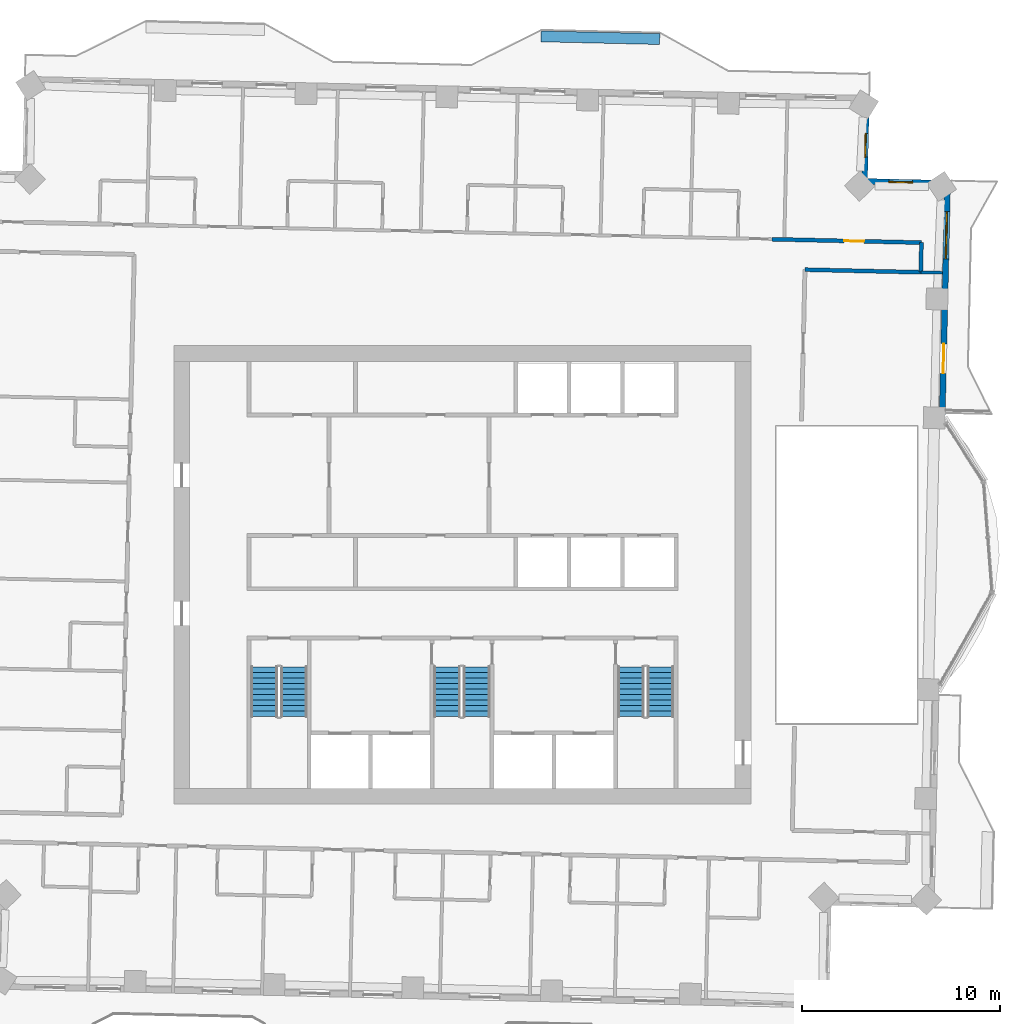
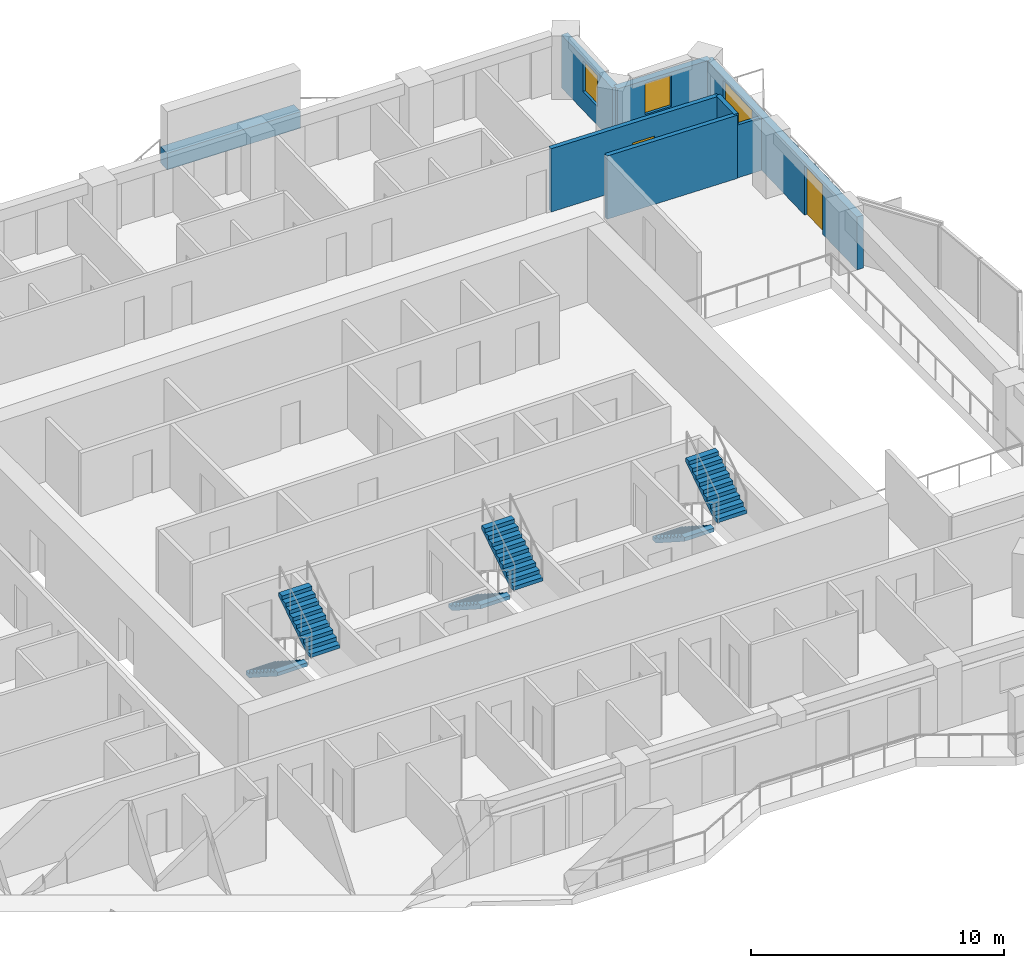
# One storey, part 12 of 16: 8 walls, 6 stair flights, 3 windows, 2 doors, 5 openings, 3 elements without a shape of their own.
"""IFC4 building model written with IfcOpenShell, lengths in metres."""

from ifc_helpers import new_model, si_unit, direction, frame, frame_2d, origin, place, context, subcontext, project, spatial, polyline, rectangle, outline, extrude, material, layer, layer_set, type_object, element, fill, aggregate, save


model = new_model("IFC4")

# Units and contexts
model_context = context("Model", 3, precision=1e-05, world=origin(), true_north=direction((0.0, 1.0)))
body_context = subcontext(model_context, "Body", "Model", "MODEL_VIEW")
ifc_project = project(units=[si_unit("LENGTHUNIT", "METRE"), si_unit("AREAUNIT", "SQUARE_METRE"), si_unit("VOLUMEUNIT", "CUBIC_METRE"), si_unit("PLANEANGLEUNIT", "RADIAN"), si_unit("MASSUNIT", "GRAM", prefix="KILO")], contexts=[model_context])

# Site, building, storey
site_placement = place(None, origin())
site = spatial("IfcSite", under=ifc_project, at=site_placement, CompositionType="ELEMENT")
building_placement = place(site_placement, origin())
building = spatial("IfcBuilding", under=site, at=building_placement, Name="Mangrove Gate Tower", CompositionType="ELEMENT")
storey_placement = place(building_placement, frame((0.0, 0.0, 215.89990234375)))
storey = spatial("IfcBuildingStorey", under=building, at=storey_placement, Name="L55", CompositionType="ELEMENT", Elevation=215.89990234375)

# Walls
ifc_material_1 = material(Name="Gypsum board on steel stud, EI 60", Category="steel")
ifc_layer_1 = layer(ifc_material_1, 0.199951171875)
ifc_layer_set_1 = layer_set([ifc_layer_1], Name="Corridor wall EI 60")
wall_type_1 = type_object("IfcWallType", Name="Corridor wall EI 60", PredefinedType="PARTITIONING", material=ifc_layer_set_1)
wall_1_placement = place(storey_placement, frame((17.322998046875, 15.444091796875, 0.0), z_axis=(0.0, 0.0, 1.0), x_axis=(0.999742758565, -0.022680756085, 0.0)))
element("IfcWall", 1, at=wall_1_placement, inside=storey, type_object=wall_type_1, Name="WALL-L55-047", PredefinedType="PARTITIONING", context=body_context, shape_type="SweptSolid", body=[
    extrude(rectangle(XDim=5.866455078125, YDim=0.199951171875, at=frame_2d((2.93310546875, 0.0))), origin(), (0.0, 0.0, 1.0), 3.050048828125),
])
wall_2_placement = place(storey_placement, frame((23.18603515625, 15.31494140625, 0.0), z_axis=(0.0, 0.0, 1.0), x_axis=(0.022617910375, 0.999744182344, 0.0)))
element("IfcWall", 2, at=wall_2_placement, inside=storey, type_object=wall_type_1, Name="WALL-L55-050", PredefinedType="PARTITIONING", context=body_context, shape_type="SweptSolid", body=[
    extrude(rectangle(XDim=1.50048828125, YDim=0.199951171875, at=frame_2d((0.750244140625, 0.0))), origin(), (0.0, 0.0, 1.0), 3.050048828125),
])

# Wall, opening, door
wall_3_placement = place(storey_placement, frame((15.657958984375, 16.98193359375, 0.0), z_axis=(0.0, 0.0, 1.0), x_axis=(0.99974485859, -0.022587999516, 0.0)))
wall_3 = element("IfcWall", 3, at=wall_3_placement, inside=storey, type_object=wall_type_1, Name="WALL-L55-053", PredefinedType="PARTITIONING", context=body_context, shape_type="SweptSolid", body=[
    extrude(rectangle(XDim=7.56591796875, YDim=0.199951171875, at=frame_2d((3.782958984375, 0.0))), origin(), (0.0, 0.0, 1.0), 3.050048828125),
])
opening_1_placement = place(wall_3_placement, frame((3.657958984375, 0.0, 0.0)))
opening_1 = element("IfcOpeningElement", 4, at=opening_1_placement, cuts=wall_3, Name="Opening AD", PredefinedType="OPENING", context=body_context, shape_type="SweptSolid", body=[
    extrude(rectangle(XDim=1.0, YDim=2.10009765625, at=frame_2d((0.5, 1.050048828125))), frame((0.0, 0.10986328125, 0.0), z_axis=(0.0, -1.0, 0.0), x_axis=(1.0, 0.0, 0.0)), (0.0, 0.0, 1.0), 0.219970703125),
])
ifc_material_2 = material(Name="Timber door leaf", Category="wood")
door_type_1 = type_object("IfcDoorType", Name="Amenity door 1000", OperationType="SINGLE_SWING_LEFT", PredefinedType="DOOR", material=ifc_material_2)
door_1_placement = place(opening_1_placement, origin())
door_1 = element("IfcDoor", 5, at=door_1_placement, inside=storey, type_object=door_type_1, Name="DOOR-L55-STU-c3a", OperationType="SINGLE_SWING_LEFT", OverallHeight=2.10009765625, OverallWidth=1.0, PredefinedType="DOOR", context=body_context, shape_type="SweptSolid", body=[
    extrude(rectangle(XDim=1.0, YDim=2.10009765625, at=frame_2d((0.5, 1.050048828125))), frame((0.0, 0.02490234375, 0.0), z_axis=(0.0, -1.0, 0.0), x_axis=(1.0, 0.0, 0.0)), (0.0, 0.0, 1.0), 0.050048828125),
])
fill(opening_1, door_1)

# Wall, openings, door, window
ifc_material_3 = material(Name="Limestone", Category="masonry")
ifc_layer_2 = layer(ifc_material_3, 0.0400390625, Name="Limestone cladding")
ifc_material_4 = material(Name="Ventilated air gap")
ifc_layer_3 = layer(ifc_material_4, 0.0400390625, Name="Ventilated cavity")
ifc_material_5 = material(Name="Mineral wool insulation")
ifc_layer_4 = layer(ifc_material_5, 0.06005859375, Name="Insulation")
ifc_material_6 = material(Name="Breather membrane")
ifc_layer_5 = layer(ifc_material_6, 0.001953125, Name="Breather membrane")
ifc_material_7 = material(Name="Concrete C20/25 blockwork", Category="masonry")
ifc_layer_6 = layer(ifc_material_7, 0.14990234375, Name="Blockwork backing wall")
ifc_material_8 = material(Name="Gypsum plaster")
ifc_layer_7 = layer(ifc_material_8, 0.008056640625, Name="Internal plaster")
ifc_layer_set_2 = layer_set([ifc_layer_2, ifc_layer_3, ifc_layer_4, ifc_layer_5, ifc_layer_6, ifc_layer_7], Name="External wall 300 limestone cladding")
wall_type_2 = type_object("IfcWallType", Name="External wall 300 limestone cladding", PredefinedType="SOLIDWALL", material=ifc_layer_set_2)
wall_4_placement = place(storey_placement, frame((24.259033203125, 7.39111328125, 0.0), z_axis=(0.0, 0.0, 1.0), x_axis=(0.022696408441, 0.999742403344, 0.0)))
wall_4 = element("IfcWall", 6, at=wall_4_placement, inside=storey, type_object=wall_type_2, Name="WALL-L55-E2s1", PredefinedType="SOLIDWALL", context=body_context, shape_type="SweptSolid", body=[
    extrude(rectangle(XDim=12.424072265625, YDim=0.300048828125, at=frame_2d((6.2119140625, 0.0))), origin(), (0.0, 0.0, 1.0), 2.550048828125),
])
opening_2_placement = place(wall_4_placement, frame((2.805908203125, 0.0, 0.0)))
opening_2 = element("IfcOpeningElement", 7, at=opening_2_placement, cuts=wall_4, Name="Opening BD1", PredefinedType="OPENING", context=body_context, shape_type="SweptSolid", body=[
    extrude(rectangle(XDim=1.5, YDim=2.39990234375, at=frame_2d((0.75, 1.199951171875))), frame((0.0, 0.159912109375, 0.0), z_axis=(0.0, -1.0, 0.0), x_axis=(1.0, 0.0, 0.0)), (0.0, 0.0, 1.0), 0.320068359375),
])
opening_3_placement = place(wall_4_placement, frame((8.595947265625, 0.0, 0.89990234375)))
opening_3 = element("IfcOpeningElement", 8, at=opening_3_placement, cuts=wall_4, Name="Opening W2", PredefinedType="OPENING", context=body_context, shape_type="SweptSolid", body=[
    extrude(rectangle(XDim=2.39990234375, YDim=1.5, at=frame_2d((1.199951171875, 0.75))), frame((0.0, 0.159912109375, 0.0), z_axis=(0.0, -1.0, 0.0), x_axis=(1.0, 0.0, 0.0)), (0.0, 0.0, 1.0), 0.320068359375),
])
ifc_material_9 = material(Name="Aluminium frame with laminated clear glass", Category="aluminium")
door_type_2 = type_object("IfcDoorType", Name="Balcony sliding door 1500x2400", OperationType="SLIDING_TO_LEFT", PredefinedType="DOOR", material=ifc_material_9)
door_2_placement = place(opening_2_placement, origin())
door_2 = element("IfcDoor", 9, at=door_2_placement, inside=storey, type_object=door_type_2, Name="DOOR-L55-E2-1", OperationType="SLIDING_TO_LEFT", OverallHeight=2.39990234375, OverallWidth=1.5, PredefinedType="DOOR", context=body_context, shape_type="SweptSolid", body=[
    extrude(rectangle(XDim=1.5, YDim=2.39990234375, at=frame_2d((0.75, 1.199951171875))), frame((0.0, 0.02490234375, 0.0), z_axis=(0.0, -1.0, 0.0), x_axis=(1.0, 0.0, 0.0)), (0.0, 0.0, 1.0), 0.050048828125),
])
fill(opening_2, door_2)
ifc_material_10 = material(Name="Aluminium frame with double-glazed low-e glass", Category="aluminium")
window_type_1 = type_object("IfcWindowType", Name="Corner room window 2400x1500", PartitioningType="DOUBLE_PANEL_VERTICAL", PredefinedType="WINDOW", material=ifc_material_10)
window_1_placement = place(opening_3_placement, origin())
window_1 = element("IfcWindow", 10, at=window_1_placement, inside=storey, type_object=window_type_1, Name="WIN-L55-E2-2", OverallHeight=1.5, OverallWidth=2.39990234375, PartitioningType="DOUBLE_PANEL_VERTICAL", PredefinedType="WINDOW", context=body_context, shape_type="SweptSolid", body=[
    extrude(rectangle(XDim=2.39990234375, YDim=1.5, at=frame_2d((1.199951171875, 0.75))), frame((0.0, 0.030029296875, 0.0), z_axis=(0.0, -1.0, 0.0), x_axis=(1.0, 0.0, 0.0)), (0.0, 0.0, 1.0), 0.06005859375),
])
fill(opening_3, window_1)

# Wall, opening, window
wall_5_placement = place(storey_placement, frame((24.541015625, 19.81201171875, 0.0), z_axis=(0.0, 0.0, 1.0), x_axis=(-0.999744320311, 0.022611811187, 0.0)))
wall_5 = element("IfcWall", 11, at=wall_5_placement, inside=storey, type_object=wall_type_2, Name="WALL-L55-N3", PredefinedType="SOLIDWALL", context=body_context, shape_type="SweptSolid", body=[
    extrude(rectangle(XDim=4.199951171875, YDim=0.300048828125, at=frame_2d((2.10009765625, 0.0))), origin(), (0.0, 0.0, 1.0), 2.550048828125),
])
opening_4_placement = place(wall_5_placement, frame((1.763916015625, 0.0, 0.89990234375)))
opening_4 = element("IfcOpeningElement", 12, at=opening_4_placement, cuts=wall_5, Name="Opening W1", PredefinedType="OPENING", context=body_context, shape_type="SweptSolid", body=[
    extrude(rectangle(XDim=1.199951171875, YDim=1.5, at=frame_2d((0.60009765625, 0.75))), frame((0.0, 0.159912109375, 0.0), z_axis=(0.0, -1.0, 0.0), x_axis=(1.0, 0.0, 0.0)), (0.0, 0.0, 1.0), 0.320068359375),
])
ifc_material_11 = material(Name="Aluminium frame with double-glazed low-e glass", Category="aluminium")
window_type_2 = type_object("IfcWindowType", Name="Side lite 1200x1500", PartitioningType="SINGLE_PANEL", PredefinedType="WINDOW", material=ifc_material_11)
window_2_placement = place(opening_4_placement, origin())
window_2 = element("IfcWindow", 13, at=window_2_placement, inside=storey, type_object=window_type_2, Name="WIN-L55-N3-1", OverallHeight=1.5, OverallWidth=1.199951171875, PartitioningType="SINGLE_PANEL", PredefinedType="WINDOW", context=body_context, shape_type="SweptSolid", body=[
    extrude(rectangle(XDim=1.199951171875, YDim=1.5, at=frame_2d((0.60009765625, 0.75))), frame((0.0, 0.030029296875, 0.0), z_axis=(0.0, -1.0, 0.0), x_axis=(1.0, 0.0, 0.0)), (0.0, 0.0, 1.0), 0.06005859375),
])
fill(opening_4, window_2)

wall_6_placement = place(storey_placement, frame((20.342041015625, 19.906982421875, 0.0), z_axis=(0.0, 0.0, 1.0), x_axis=(0.022611811187, 0.999744320311, 0.0)))
wall_6 = element("IfcWall", 14, at=wall_6_placement, inside=storey, type_object=wall_type_2, Name="WALL-L55-E4", PredefinedType="SOLIDWALL", context=body_context, shape_type="SweptSolid", body=[
    extrude(rectangle(XDim=4.199951171875, YDim=0.300048828125, at=frame_2d((2.10009765625, 0.0))), origin(), (0.0, 0.0, 1.0), 2.550048828125),
])
opening_5_placement = place(wall_6_placement, frame((1.23095703125, 0.0, 0.89990234375)))
opening_5 = element("IfcOpeningElement", 15, at=opening_5_placement, cuts=wall_6, Name="Opening W1", PredefinedType="OPENING", context=body_context, shape_type="SweptSolid", body=[
    extrude(rectangle(XDim=1.199951171875, YDim=1.5, at=frame_2d((0.60009765625, 0.75))), frame((0.0, 0.159912109375, 0.0), z_axis=(0.0, -1.0, 0.0), x_axis=(1.0, 0.0, 0.0)), (0.0, 0.0, 1.0), 0.320068359375),
])
window_3_placement = place(opening_5_placement, origin())
window_3 = element("IfcWindow", 16, at=window_3_placement, inside=storey, type_object=window_type_2, Name="WIN-L55-E4-1", OverallHeight=1.5, OverallWidth=1.199951171875, PartitioningType="SINGLE_PANEL", PredefinedType="WINDOW", context=body_context, shape_type="SweptSolid", body=[
    extrude(rectangle(XDim=1.199951171875, YDim=1.5, at=frame_2d((0.60009765625, 0.75))), frame((0.0, 0.030029296875, 0.0), z_axis=(0.0, -1.0, 0.0), x_axis=(1.0, 0.0, 0.0)), (0.0, 0.0, 1.0), 0.06005859375),
])
fill(opening_5, window_3)

# Walls
ifc_material_12 = material(Name="Gypsum board on steel stud, EI 60", Category="steel")
ifc_layer_8 = layer(ifc_material_12, 0.14990234375)
ifc_layer_set_3 = layer_set([ifc_layer_8], Name="Party wall 150 EI 60")
wall_type_3 = type_object("IfcWallType", Name="Party wall 150 EI 60", PredefinedType="PARTITIONING", material=ifc_layer_set_3)
wall_7_placement = place(storey_placement, frame((23.18798828125, 15.31103515625, 0.0), z_axis=(0.0, 0.0, 1.0), x_axis=(0.999738848859, -0.022852441507, 0.0)))
element("IfcWall", 17, at=wall_7_placement, inside=storey, type_object=wall_type_3, Name="WALL-L55-048", PredefinedType="PARTITIONING", context=body_context, shape_type="SweptSolid", body=[
    extrude(rectangle(XDim=1.100341796875, YDim=0.14990234375, at=frame_2d((0.55029296875, 0.0))), origin(), (0.0, 0.0, 1.0), 2.550048828125),
])
ifc_material_13 = material(Name="Concrete C32/40", Category="concrete")
ifc_layer_9 = layer(ifc_material_13, 0.199951171875, Name="Planter trough wall")
ifc_material_14 = material(Name="Bituminous waterproofing membrane")
ifc_layer_10 = layer(ifc_material_14, 0.0048828125, Name="Waterproofing")
ifc_material_15 = material(Name="Drainage board and gravel")
ifc_layer_11 = layer(ifc_material_15, 0.044921875, Name="Drainage layer")
ifc_material_16 = material(Name="Planting soil")
ifc_layer_12 = layer(ifc_material_16, 0.300048828125, Name="Growing medium")
ifc_layer_set_4 = layer_set([ifc_layer_9, ifc_layer_10, ifc_layer_11, ifc_layer_12], Name="Planter wall 550 C32/40")
wall_type_4 = type_object("IfcWallType", Name="Planter wall 550 C32/40", PredefinedType="USERDEFINED", material=ifc_layer_set_4)
wall_8_placement = place(storey_placement, frame((3.98193359375, 27.2451171875, 0.0), z_axis=(0.0, 0.0, 1.0), x_axis=(0.999742255469, -0.022702921152, 0.0)))
element("IfcWall", 18, at=wall_8_placement, inside=storey, type_object=wall_type_4, Name="PLANTER L55 N0.1", ObjectType="PLANTER", PredefinedType="USERDEFINED", context=body_context, shape_type="SweptSolid", body=[
    extrude(rectangle(XDim=6.00048828125, YDim=0.550048828125, at=frame_2d((3.000244140625, 0.0))), origin(), (0.0, 0.0, 1.0), 0.800048828125),
])

# Stair, stair flights
ifc_material_17 = material(Name="Concrete C40/50", Category="concrete")
stair_type = type_object("IfcStairType", Name="Core stair 1350", PredefinedType="HALF_TURN_STAIR", material=ifc_material_17)
stair_1_placement = place(storey_placement, origin())
stair_1 = element("IfcStair", 19, at=stair_1_placement, inside=storey, type_object=stair_type, Name="L55 Stair 1", PredefinedType="HALF_TURN_STAIR")
ifc_material_18 = material(Name="Concrete C40/50", Category="concrete")
stair_flight_type = type_object("IfcStairFlightType", Name="Core stair flight 1350", PredefinedType="STRAIGHT", material=ifc_material_18)
stair_flight_1_placement = place(storey_placement, frame((-10.02490234375, -4.64990234375, 0.0), z_axis=(0.0, 0.0, 1.0), x_axis=(0.0, -1.0, 0.0)))
stair_flight_1 = element("IfcStairFlight", 20, at=stair_flight_1_placement, type_object=stair_flight_type, Name="ST1 flight 1", NumberOfRisers=10, NumberOfTreads=9, PredefinedType="STRAIGHT", RiserHeight=0.18, TreadLength=0.28, context=body_context, shape_type="SweptSolid", body=[
    extrude(outline(polyline([(0.0, 0.0), (0.0, 0.179931640625), (0.280029296875, 0.179931640625), (0.280029296875, 0.360107421875), (0.56005859375, 0.360107421875), (0.56005859375, 0.5400390625), (0.840087890625, 0.5400390625), (0.840087890625, 0.719970703125), (1.1201171875, 0.719970703125), (1.1201171875, 0.89990234375), (1.39990234375, 0.89990234375), (1.39990234375, 1.080078125), (1.679931640625, 1.080078125), (1.679931640625, 1.260009765625), (1.9599609375, 1.260009765625), (1.9599609375, 1.43994140625), (2.239990234375, 1.43994140625), (2.239990234375, 1.6201171875), (2.52001953125, 1.6201171875), (2.52001953125, 1.800048828125), (2.52001953125, 1.44189453125), (0.277099609375, 0.0), (0.0, 0.0)])), frame((0.0, 0.675048828125, 0.0), z_axis=(0.0, -1.0, 0.0), x_axis=(1.0, 0.0, 0.0)), (0.0, 0.0, 1.0), 1.35009765625),
])
stair_flight_2_placement = place(storey_placement, frame((-8.52490234375, -7.169921875, 1.800048828125), z_axis=(0.0, 0.0, 1.0), x_axis=(0.0, 1.0, 0.0)))
stair_flight_2 = element("IfcStairFlight", 21, at=stair_flight_2_placement, type_object=stair_flight_type, Name="ST1 flight 2", NumberOfRisers=10, NumberOfTreads=9, PredefinedType="STRAIGHT", RiserHeight=0.18, TreadLength=0.28, context=body_context, shape_type="SweptSolid", body=[
    extrude(outline(polyline([(0.0, 0.0), (0.0, 0.179931640625), (0.280029296875, 0.179931640625), (0.280029296875, 0.360107421875), (0.56005859375, 0.360107421875), (0.56005859375, 0.5400390625), (0.840087890625, 0.5400390625), (0.840087890625, 0.719970703125), (1.1201171875, 0.719970703125), (1.1201171875, 0.89990234375), (1.39990234375, 0.89990234375), (1.39990234375, 1.080078125), (1.679931640625, 1.080078125), (1.679931640625, 1.260009765625), (1.9599609375, 1.260009765625), (1.9599609375, 1.43994140625), (2.239990234375, 1.43994140625), (2.239990234375, 1.6201171875), (2.52001953125, 1.6201171875), (2.52001953125, 1.800048828125), (2.52001953125, 1.44189453125), (0.277099609375, 0.0), (0.0, 0.0)])), frame((0.0, 0.675048828125, 0.0), z_axis=(0.0, -1.0, 0.0), x_axis=(1.0, 0.0, 0.0)), (0.0, 0.0, 1.0), 1.35009765625),
])
aggregate(stair_1, [stair_flight_1, stair_flight_2])

stair_2_placement = place(storey_placement, origin())
stair_2 = element("IfcStair", 22, at=stair_2_placement, inside=storey, type_object=stair_type, Name="L55 Stair 2", PredefinedType="HALF_TURN_STAIR")
stair_flight_3_placement = place(storey_placement, frame((-0.77490234375, -4.64990234375, 0.0), z_axis=(0.0, 0.0, 1.0), x_axis=(0.0, -1.0, 0.0)))
stair_flight_3 = element("IfcStairFlight", 23, at=stair_flight_3_placement, type_object=stair_flight_type, Name="ST2 flight 1", NumberOfRisers=10, NumberOfTreads=9, PredefinedType="STRAIGHT", RiserHeight=0.18, TreadLength=0.28, context=body_context, shape_type="SweptSolid", body=[
    extrude(outline(polyline([(0.0, 0.0), (0.0, 0.179931640625), (0.280029296875, 0.179931640625), (0.280029296875, 0.360107421875), (0.56005859375, 0.360107421875), (0.56005859375, 0.5400390625), (0.840087890625, 0.5400390625), (0.840087890625, 0.719970703125), (1.1201171875, 0.719970703125), (1.1201171875, 0.89990234375), (1.39990234375, 0.89990234375), (1.39990234375, 1.080078125), (1.679931640625, 1.080078125), (1.679931640625, 1.260009765625), (1.9599609375, 1.260009765625), (1.9599609375, 1.43994140625), (2.239990234375, 1.43994140625), (2.239990234375, 1.6201171875), (2.52001953125, 1.6201171875), (2.52001953125, 1.800048828125), (2.52001953125, 1.44189453125), (0.277099609375, 0.0), (0.0, 0.0)])), frame((0.0, 0.675048828125, 0.0), z_axis=(0.0, -1.0, 0.0), x_axis=(1.0, 0.0, 0.0)), (0.0, 0.0, 1.0), 1.35009765625),
])
stair_flight_4_placement = place(storey_placement, frame((0.72509765625, -7.169921875, 1.800048828125), z_axis=(0.0, 0.0, 1.0), x_axis=(0.0, 1.0, 0.0)))
stair_flight_4 = element("IfcStairFlight", 24, at=stair_flight_4_placement, type_object=stair_flight_type, Name="ST2 flight 2", NumberOfRisers=10, NumberOfTreads=9, PredefinedType="STRAIGHT", RiserHeight=0.18, TreadLength=0.28, context=body_context, shape_type="SweptSolid", body=[
    extrude(outline(polyline([(0.0, 0.0), (0.0, 0.179931640625), (0.280029296875, 0.179931640625), (0.280029296875, 0.360107421875), (0.56005859375, 0.360107421875), (0.56005859375, 0.5400390625), (0.840087890625, 0.5400390625), (0.840087890625, 0.719970703125), (1.1201171875, 0.719970703125), (1.1201171875, 0.89990234375), (1.39990234375, 0.89990234375), (1.39990234375, 1.080078125), (1.679931640625, 1.080078125), (1.679931640625, 1.260009765625), (1.9599609375, 1.260009765625), (1.9599609375, 1.43994140625), (2.239990234375, 1.43994140625), (2.239990234375, 1.6201171875), (2.52001953125, 1.6201171875), (2.52001953125, 1.800048828125), (2.52001953125, 1.44189453125), (0.277099609375, 0.0), (0.0, 0.0)])), frame((0.0, 0.675048828125, 0.0), z_axis=(0.0, -1.0, 0.0), x_axis=(1.0, 0.0, 0.0)), (0.0, 0.0, 1.0), 1.35009765625),
])
aggregate(stair_2, [stair_flight_3, stair_flight_4])

stair_3_placement = place(storey_placement, origin())
stair_3 = element("IfcStair", 25, at=stair_3_placement, inside=storey, type_object=stair_type, Name="L55 Stair 3", PredefinedType="HALF_TURN_STAIR")
stair_flight_5_placement = place(storey_placement, frame((8.52490234375, -4.64990234375, 0.0), z_axis=(0.0, 0.0, 1.0), x_axis=(0.0, -1.0, 0.0)))
stair_flight_5 = element("IfcStairFlight", 26, at=stair_flight_5_placement, type_object=stair_flight_type, Name="ST3 flight 1", NumberOfRisers=10, NumberOfTreads=9, PredefinedType="STRAIGHT", RiserHeight=0.18, TreadLength=0.28, context=body_context, shape_type="SweptSolid", body=[
    extrude(outline(polyline([(0.0, 0.0), (0.0, 0.179931640625), (0.280029296875, 0.179931640625), (0.280029296875, 0.360107421875), (0.56005859375, 0.360107421875), (0.56005859375, 0.5400390625), (0.840087890625, 0.5400390625), (0.840087890625, 0.719970703125), (1.1201171875, 0.719970703125), (1.1201171875, 0.89990234375), (1.39990234375, 0.89990234375), (1.39990234375, 1.080078125), (1.679931640625, 1.080078125), (1.679931640625, 1.260009765625), (1.9599609375, 1.260009765625), (1.9599609375, 1.43994140625), (2.239990234375, 1.43994140625), (2.239990234375, 1.6201171875), (2.52001953125, 1.6201171875), (2.52001953125, 1.800048828125), (2.52001953125, 1.44189453125), (0.277099609375, 0.0), (0.0, 0.0)])), frame((0.0, 0.675048828125, 0.0), z_axis=(0.0, -1.0, 0.0), x_axis=(1.0, 0.0, 0.0)), (0.0, 0.0, 1.0), 1.35009765625),
])
stair_flight_6_placement = place(storey_placement, frame((10.02490234375, -7.169921875, 1.800048828125), z_axis=(0.0, 0.0, 1.0), x_axis=(0.0, 1.0, 0.0)))
stair_flight_6 = element("IfcStairFlight", 27, at=stair_flight_6_placement, type_object=stair_flight_type, Name="ST3 flight 2", NumberOfRisers=10, NumberOfTreads=9, PredefinedType="STRAIGHT", RiserHeight=0.18, TreadLength=0.28, context=body_context, shape_type="SweptSolid", body=[
    extrude(outline(polyline([(0.0, 0.0), (0.0, 0.179931640625), (0.280029296875, 0.179931640625), (0.280029296875, 0.360107421875), (0.56005859375, 0.360107421875), (0.56005859375, 0.5400390625), (0.840087890625, 0.5400390625), (0.840087890625, 0.719970703125), (1.1201171875, 0.719970703125), (1.1201171875, 0.89990234375), (1.39990234375, 0.89990234375), (1.39990234375, 1.080078125), (1.679931640625, 1.080078125), (1.679931640625, 1.260009765625), (1.9599609375, 1.260009765625), (1.9599609375, 1.43994140625), (2.239990234375, 1.43994140625), (2.239990234375, 1.6201171875), (2.52001953125, 1.6201171875), (2.52001953125, 1.800048828125), (2.52001953125, 1.44189453125), (0.277099609375, 0.0), (0.0, 0.0)])), frame((0.0, 0.675048828125, 0.0), z_axis=(0.0, -1.0, 0.0), x_axis=(1.0, 0.0, 0.0)), (0.0, 0.0, 1.0), 1.35009765625),
])
aggregate(stair_3, [stair_flight_5, stair_flight_6])

save(model, "model.ifc")
